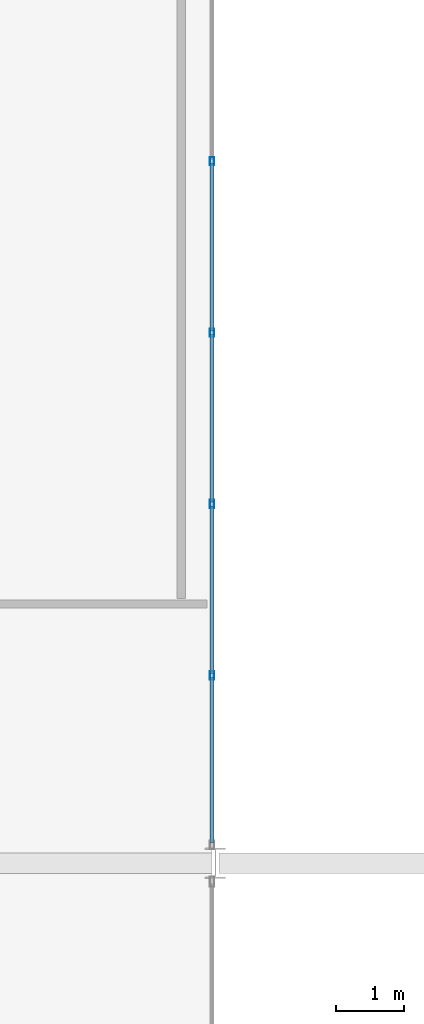
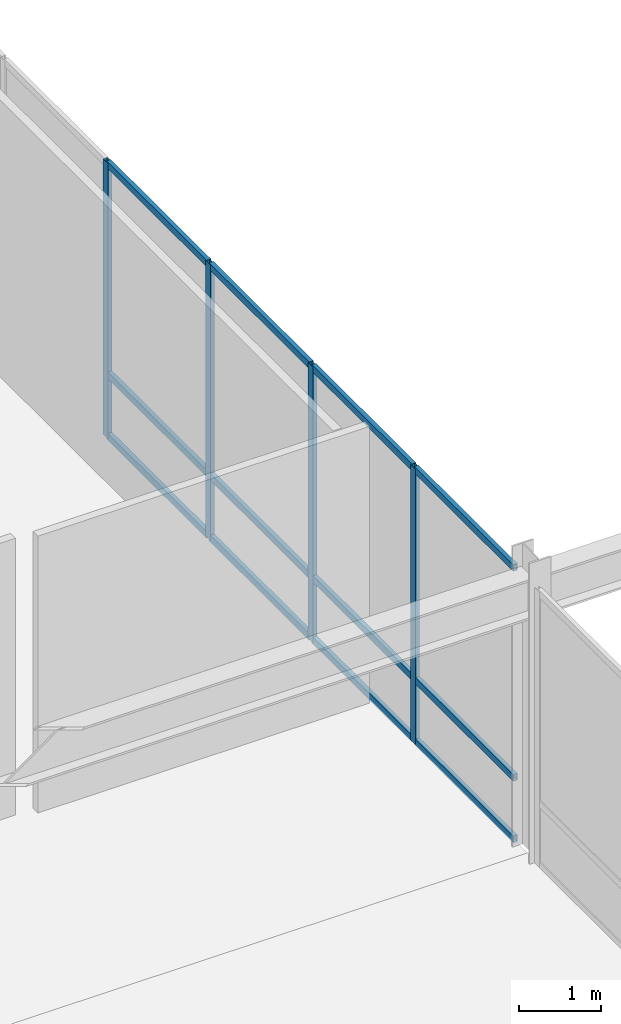
# One storey, part 61 of 115: 16 members, 1 element without a shape of its own.
"""IFC4 building model written with IfcOpenShell, lengths in metres."""

import ifcopenshell
import ifcopenshell.guid

model = None  # the IFC model being written
_history = None  # IfcOwnerHistory: only IFC2X3 demands one
_inside = {}  # id of a spatial element -> (the spatial element, [elements in it])
_under = {}  # id of a project, library or spatial element -> (it, [spatial elements below it])
_declared = {}  # id of a project -> (the project, [libraries it declares])
_typed = {}  # id of a type object -> (the type object, [elements of that type])
_made_of = {}  # id of a material, layer set ... -> (it, [elements and type objects made of it])


def new_model(schema):
    """Start an empty IFC model of exactly this schema.

    Asked for "IFC4X3", IfcOpenShell would pick the latest addendum, in which some entities
    have other attributes; the version numbers below select the first issue.
    IFC2X3 requires an IfcOwnerHistory on every rooted entity: one is made here for all.
    """
    global model, _history
    if schema == "IFC4X3":
        model = ifcopenshell.file(schema_version=(4, 3, 0, 0))
    else:
        model = ifcopenshell.file(schema=schema)
    _inside.clear()
    _under.clear()
    _declared.clear()
    _typed.clear()
    _made_of.clear()
    _history = None
    if model.schema == "IFC2X3":
        org = make("IfcOrganization", Name="unknown")
        user = make(
            "IfcPersonAndOrganization",
            ThePerson=make("IfcPerson", FamilyName="unknown"),
            TheOrganization=org,
        )
        app = make(
            "IfcApplication",
            ApplicationDeveloper=org,
            Version="unknown",
            ApplicationFullName="unknown",
            ApplicationIdentifier="unknown",
        )
        _history = make(
            "IfcOwnerHistory",
            OwningUser=user,
            OwningApplication=app,
            ChangeAction="ADDED",
            CreationDate=0,
        )
    return model


def make(cls, **values):
    """One entity of the class cls with the attributes given. An attribute that is None is left unset."""
    return model.create_entity(
        cls, **{name: value for name, value in values.items() if value is not None}
    )


def rooted(cls, **values):
    """An entity with a GlobalId (a new one), such as an element, a storey or a relation."""
    return make(cls, GlobalId=ifcopenshell.guid.new(), OwnerHistory=_history, **values)


def si_unit(unit_type, name, prefix=None):
    """IfcSIUnit, for example si_unit("LENGTHUNIT", "METRE", prefix="MILLI")."""
    return make("IfcSIUnit", UnitType=unit_type, Prefix=prefix, Name=name)


def assignment(units):
    """IfcUnitAssignment: the units of a project."""
    return None if units is None else make("IfcUnitAssignment", Units=units)


def point(xyz):
    """IfcCartesianPoint."""
    return None if xyz is None else make("IfcCartesianPoint", Coordinates=xyz)


def direction(xyz):
    """IfcDirection."""
    return None if xyz is None else make("IfcDirection", DirectionRatios=xyz)


def frame(location, z_axis=None, x_axis=None):
    """IfcAxis2Placement3D, a coordinate frame: its origin and axes. An axis left out is left unset."""
    return make(
        "IfcAxis2Placement3D",
        Location=point(location),
        Axis=direction(z_axis),
        RefDirection=direction(x_axis),
    )


def frame_2d(location, x_axis=None):
    """IfcAxis2Placement2D, a coordinate frame in the plane: its origin and x axis."""
    return make(
        "IfcAxis2Placement2D", Location=point(location), RefDirection=direction(x_axis)
    )


def origin():
    """The frame at (0, 0, 0) with its axes left unset."""
    return frame((0.0, 0.0, 0.0))


def origin_2d():
    """The frame at (0, 0) in the plane with its x axis left unset."""
    return frame_2d((0.0, 0.0))


def place(relative_to, where):
    """IfcLocalPlacement: puts the frame where relative to a parent placement (None: the world)."""
    return make(
        "IfcLocalPlacement", PlacementRelTo=relative_to, RelativePlacement=where
    )


def context(
    kind, dimensions, precision=None, world=None, true_north=None, identifier=None
):
    """IfcGeometricRepresentationContext, for example the 3D "Model" context."""
    return make(
        "IfcGeometricRepresentationContext",
        ContextIdentifier=identifier,
        ContextType=kind,
        CoordinateSpaceDimension=dimensions,
        Precision=precision,
        WorldCoordinateSystem=world,
        TrueNorth=true_north,
    )


def subcontext(parent, identifier, kind, view, scale=None):
    """IfcGeometricRepresentationSubContext, for example "Body" below "Model"."""
    return make(
        "IfcGeometricRepresentationSubContext",
        ContextIdentifier=identifier,
        ContextType=kind,
        ParentContext=parent,
        TargetScale=scale,
        TargetView=view,
    )


def project(units=None, contexts=None):
    """IfcProject with its units and contexts."""
    return rooted(
        "IfcProject",
        Name="project",
        RepresentationContexts=contexts,
        UnitsInContext=assignment(units),
    )


def spatial(cls, under=None, at=None, **own):
    """A site, building, storey or space (cls), placed at a placement, below another one or the project."""
    s = rooted(cls, ObjectPlacement=at, **own)
    if under is not None:
        _under.setdefault(under.id(), (under, []))[1].append(s)
    return s


def profile(cls, at=None, kind="AREA", **sizes):
    """A parametric profile (cls). Its sizes go by their IFC names, for example OverallWidth=200.0."""
    return make(cls, ProfileType=kind, Position=at, **sizes)


def hollow_rectangle(**sizes):
    """IfcRectangleHollowProfileDef."""
    return profile("IfcRectangleHollowProfileDef", **sizes)


def extrude(swept, where, along, depth):
    """IfcExtrudedAreaSolid: the profile swept, set in the frame where, extruded along a direction by depth."""
    return make(
        "IfcExtrudedAreaSolid",
        SweptArea=swept,
        Position=where,
        ExtrudedDirection=direction(along),
        Depth=depth,
    )


def shape(context_of_items, identifier, shape_type, items):
    """IfcShapeRepresentation: the items that make up one representation, for example the "Body"."""
    return make(
        "IfcShapeRepresentation",
        ContextOfItems=context_of_items,
        RepresentationIdentifier=identifier,
        RepresentationType=shape_type,
        Items=items,
    )


def material(Name=None, Category=None):
    """IfcMaterial."""
    return make("IfcMaterial", Name=Name, Category=Category)


def layer(
    of_material, thickness, ventilated=None, Name=None, Category=None, Priority=None
):
    """IfcMaterialLayer: one layer of a wall or slab, of a material (None: an air gap)."""
    return make(
        "IfcMaterialLayer",
        Material=of_material,
        LayerThickness=thickness,
        IsVentilated=ventilated,
        Name=Name,
        Category=Category,
        Priority=Priority,
    )


def layer_set(layers, Name=None):
    """IfcMaterialLayerSet."""
    return make("IfcMaterialLayerSet", MaterialLayers=layers, LayerSetName=Name)


def material_profile(
    of_material, cross_section, Name=None, Category=None, Priority=None
):
    """IfcMaterialProfile: a cross section and its material."""
    return make(
        "IfcMaterialProfile",
        Name=Name,
        Material=of_material,
        Profile=cross_section,
        Priority=Priority,
        Category=Category,
    )


def profile_set(profiles, Name=None, composite=None):
    """IfcMaterialProfileSet."""
    return make(
        "IfcMaterialProfileSet",
        Name=Name,
        MaterialProfiles=profiles,
        CompositeProfile=composite,
    )


def made_of(thing, what):
    """Note that an element or type object is made of a material, layer set ...; save() writes the relation."""
    if what is not None:
        _made_of.setdefault(what.id(), (what, []))[1].append(thing)
    return thing


def type_object(cls, material=None, **own):
    """A type object (cls), such as IfcWallType, which elements share."""
    return made_of(rooted(cls, **own), material)


def element(
    cls,
    number,
    at=None,
    inside=None,
    cuts=None,
    type_object=None,
    material=None,
    context=None,
    identifier="Body",
    shape_type=None,
    held_by="IfcProductDefinitionShape",
    body=None,
    shapes=None,
    **own,
):
    """One element of the class cls, such as IfcWall. Its Tag is "e" and its number.

    at: its placement. inside: the storey or other place that contains it. cuts: it is an
    opening in that element (IfcRelVoidsElement). A single representation is given by context,
    identifier, shape_type and body (its items); several are given by shapes. held_by: the class
    of the entity that holds the representations. save() writes the other relations.
    """
    e = rooted(cls, Tag="e%d" % number, ObjectPlacement=at, **own)
    if body is not None:
        shapes = [shape(context, identifier, shape_type, body)]
    if shapes is not None:
        e.Representation = make(held_by, Representations=shapes)
    if inside is not None:
        _inside.setdefault(inside.id(), (inside, []))[1].append(e)
    if cuts is not None:
        rooted(
            "IfcRelVoidsElement", RelatingBuildingElement=cuts, RelatedOpeningElement=e
        )
    if type_object is not None:
        _typed.setdefault(type_object.id(), (type_object, []))[1].append(e)
    return made_of(e, material)


def aggregate(whole, parts):
    """IfcRelAggregates: a whole, such as a stair, and the parts it consists of."""
    return rooted("IfcRelAggregates", RelatingObject=whole, RelatedObjects=parts)


def save(model, path):
    """Write the relations noted so far, then the file.

    IfcRelAggregates (storeys below a building ...), IfcRelContainedInSpatialStructure (elements
    in a storey), IfcRelDefinesByType, IfcRelAssociatesMaterial and IfcRelDeclares: one each for
    every whole, place, type object, material and project.
    """
    for whole, parts in _under.values():
        aggregate(whole, parts)
    for where, things in _inside.values():
        rooted(
            "IfcRelContainedInSpatialStructure",
            RelatedElements=things,
            RelatingStructure=where,
        )
    for kind, things in _typed.values():
        rooted("IfcRelDefinesByType", RelatedObjects=things, RelatingType=kind)
    for what, things in _made_of.values():
        rooted("IfcRelAssociatesMaterial", RelatedObjects=things, RelatingMaterial=what)
    for by, libraries in _declared.values():
        rooted("IfcRelDeclares", RelatingContext=by, RelatedDefinitions=libraries)
    model.write(path)


model = new_model("IFC4")

# Units and contexts
model_context = context("Model", 3, precision=1e-05, world=origin(), true_north=direction((0.0, 1.0)))
body_context = subcontext(model_context, "Body", "Model", "MODEL_VIEW")
ifc_project = project(units=[si_unit("LENGTHUNIT", "METRE"), si_unit("AREAUNIT", "SQUARE_METRE"), si_unit("VOLUMEUNIT", "CUBIC_METRE"), si_unit("PLANEANGLEUNIT", "RADIAN"), si_unit("MASSUNIT", "GRAM", prefix="KILO")], contexts=[model_context])

# Site, building, storey
site_placement = place(None, origin())
site = spatial("IfcSite", under=ifc_project, at=site_placement, CompositionType="ELEMENT")
building_placement = place(site_placement, origin())
building = spatial("IfcBuilding", under=site, at=building_placement, Name="Montelvaro Courts of Justice", CompositionType="ELEMENT")
storey_placement = place(building_placement, frame((0.0, 0.0, 9.89990234375)))
storey = spatial("IfcBuildingStorey", under=building, at=storey_placement, Name="L02", CompositionType="ELEMENT", Elevation=9.89990234375)

# Curtain wall, members
ifc_material = material(Name="Anodised aluminium EN AW-6063", Category="aluminium")
ifc_layer = layer(ifc_material, 0.159912109375)
ifc_layer_set = layer_set([ifc_layer], Name="Anodised aluminium EN AW-6063")
curtain_wall_type = type_object("IfcCurtainWallType", Name="CurtainWall_22_1761x418", PredefinedType="USERDEFINED", material=ifc_layer_set)
curtain_wall_placement = place(storey_placement, origin())
curtain_wall = element("IfcCurtainWall", 1, at=curtain_wall_placement, inside=storey, type_object=curtain_wall_type, Name="Curtain Wall CW-22 (L02)", ObjectType="CURTAIN WALL", PredefinedType="USERDEFINED")
ifc_material_profile_1 = material_profile(ifc_material, hollow_rectangle(XDim=0.06005859375, YDim=0.1201171875, WallThickness=0.00341796875, at=origin_2d()), Name="ALU-M 60x120")
ifc_profile_set_1 = profile_set([ifc_material_profile_1], Name="Anodised aluminium EN AW-6063")
member_type_1 = type_object("IfcMemberType", Name="CurtainWall_Mullion_60x120", PredefinedType="MULLION", material=ifc_profile_set_1)
member_1_placement = place(storey_placement, frame((80.949951171875, 80.753662109375, 0.0), z_axis=(0.0, 0.0, 1.0), x_axis=(-1.0, 0.0, 0.0)))
member_1 = element("IfcMember", 2, at=member_1_placement, type_object=member_type_1, Name="CW-22 mullion 2", PredefinedType="MULLION", context=body_context, shape_type="SweptSolid", body=[
    extrude(hollow_rectangle(XDim=0.06005859375, YDim=0.1201171875, WallThickness=0.00341796875, at=origin_2d()), origin(), (0.0, 0.0, 1.0), 4.1201171875),
])
member_2_placement = place(storey_placement, frame((80.949951171875, 83.26708984375, 0.0), z_axis=(0.0, 0.0, 1.0), x_axis=(-1.0, 0.0, 0.0)))
member_2 = element("IfcMember", 3, at=member_2_placement, type_object=member_type_1, Name="CW-22 mullion 3", PredefinedType="MULLION", context=body_context, shape_type="SweptSolid", body=[
    extrude(hollow_rectangle(XDim=0.06005859375, YDim=0.1201171875, WallThickness=0.00341796875, at=origin_2d()), origin(), (0.0, 0.0, 1.0), 4.1201171875),
])
member_3_placement = place(storey_placement, frame((80.949951171875, 85.78076171875, 0.0), z_axis=(0.0, 0.0, 1.0), x_axis=(-1.0, 0.0, 0.0)))
member_3 = element("IfcMember", 4, at=member_3_placement, type_object=member_type_1, Name="CW-22 mullion 4", PredefinedType="MULLION", context=body_context, shape_type="SweptSolid", body=[
    extrude(hollow_rectangle(XDim=0.06005859375, YDim=0.1201171875, WallThickness=0.00341796875, at=origin_2d()), origin(), (0.0, 0.0, 1.0), 4.1201171875),
])
member_4_placement = place(storey_placement, frame((80.949951171875, 88.294189453125, 0.0), z_axis=(0.0, 0.0, 1.0), x_axis=(-1.0, 0.0, 0.0)))
member_4 = element("IfcMember", 5, at=member_4_placement, type_object=member_type_1, Name="CW-22 mullion 5", PredefinedType="MULLION", context=body_context, shape_type="SweptSolid", body=[
    extrude(hollow_rectangle(XDim=0.06005859375, YDim=0.1201171875, WallThickness=0.00341796875, at=origin_2d()), origin(), (0.0, 0.0, 1.0), 4.1201171875),
])
ifc_material_profile_2 = material_profile(ifc_material, hollow_rectangle(XDim=0.06005859375, YDim=0.10009765625, WallThickness=0.00341796875, at=origin_2d()), Name="ALU-T 60x100")
ifc_profile_set_2 = profile_set([ifc_material_profile_2], Name="Anodised aluminium EN AW-6063")
member_type_2 = type_object("IfcMemberType", Name="CurtainWall_Transom_60x100", PredefinedType="USERDEFINED", material=ifc_profile_set_2)
member_5_placement = place(storey_placement, frame((80.949951171875, 78.300048828125, 0.030029296875), z_axis=(0.0, 1.0, 0.0), x_axis=(-1.0, 0.0, 0.0)))
member_5 = element("IfcMember", 6, at=member_5_placement, type_object=member_type_2, Name="CW-22 transom 1.1", ObjectType="TRANSOM", PredefinedType="USERDEFINED", context=body_context, shape_type="SweptSolid", body=[
    extrude(hollow_rectangle(XDim=0.06005859375, YDim=0.10009765625, WallThickness=0.00341796875, at=origin_2d()), origin(), (0.0, 0.0, 1.0), 2.423583984375),
])
member_6_placement = place(storey_placement, frame((80.949951171875, 78.300048828125, 0.9501953125), z_axis=(0.0, 1.0, 0.0), x_axis=(-1.0, 0.0, 0.0)))
member_6 = element("IfcMember", 7, at=member_6_placement, type_object=member_type_2, Name="CW-22 transom 1.2", ObjectType="TRANSOM", PredefinedType="USERDEFINED", context=body_context, shape_type="SweptSolid", body=[
    extrude(hollow_rectangle(XDim=0.06005859375, YDim=0.10009765625, WallThickness=0.00341796875, at=origin_2d()), origin(), (0.0, 0.0, 1.0), 2.423583984375),
])
member_7_placement = place(storey_placement, frame((80.949951171875, 78.300048828125, 4.090087890625), z_axis=(0.0, 1.0, 0.0), x_axis=(-1.0, 0.0, 0.0)))
member_7 = element("IfcMember", 8, at=member_7_placement, type_object=member_type_2, Name="CW-22 transom 1.3", ObjectType="TRANSOM", PredefinedType="USERDEFINED", context=body_context, shape_type="SweptSolid", body=[
    extrude(hollow_rectangle(XDim=0.06005859375, YDim=0.10009765625, WallThickness=0.00341796875, at=origin_2d()), origin(), (0.0, 0.0, 1.0), 2.423583984375),
])
member_8_placement = place(storey_placement, frame((80.949951171875, 80.78369140625, 0.030029296875), z_axis=(0.0, 1.0, 0.0), x_axis=(-1.0, 0.0, 0.0)))
member_8 = element("IfcMember", 9, at=member_8_placement, type_object=member_type_2, Name="CW-22 transom 2.1", ObjectType="TRANSOM", PredefinedType="USERDEFINED", context=body_context, shape_type="SweptSolid", body=[
    extrude(hollow_rectangle(XDim=0.06005859375, YDim=0.10009765625, WallThickness=0.00341796875, at=origin_2d()), origin(), (0.0, 0.0, 1.0), 2.453369140625),
])
member_9_placement = place(storey_placement, frame((80.949951171875, 80.78369140625, 0.9501953125), z_axis=(0.0, 1.0, 0.0), x_axis=(-1.0, 0.0, 0.0)))
member_9 = element("IfcMember", 10, at=member_9_placement, type_object=member_type_2, Name="CW-22 transom 2.2", ObjectType="TRANSOM", PredefinedType="USERDEFINED", context=body_context, shape_type="SweptSolid", body=[
    extrude(hollow_rectangle(XDim=0.06005859375, YDim=0.10009765625, WallThickness=0.00341796875, at=origin_2d()), origin(), (0.0, 0.0, 1.0), 2.453369140625),
])
member_10_placement = place(storey_placement, frame((80.949951171875, 80.78369140625, 4.090087890625), z_axis=(0.0, 1.0, 0.0), x_axis=(-1.0, 0.0, 0.0)))
member_10 = element("IfcMember", 11, at=member_10_placement, type_object=member_type_2, Name="CW-22 transom 2.3", ObjectType="TRANSOM", PredefinedType="USERDEFINED", context=body_context, shape_type="SweptSolid", body=[
    extrude(hollow_rectangle(XDim=0.06005859375, YDim=0.10009765625, WallThickness=0.00341796875, at=origin_2d()), origin(), (0.0, 0.0, 1.0), 2.453369140625),
])
member_11_placement = place(storey_placement, frame((80.949951171875, 83.297119140625, 0.030029296875), z_axis=(0.0, 1.0, 0.0), x_axis=(-1.0, 0.0, 0.0)))
member_11 = element("IfcMember", 12, at=member_11_placement, type_object=member_type_2, Name="CW-22 transom 3.1", ObjectType="TRANSOM", PredefinedType="USERDEFINED", context=body_context, shape_type="SweptSolid", body=[
    extrude(hollow_rectangle(XDim=0.06005859375, YDim=0.10009765625, WallThickness=0.00341796875, at=origin_2d()), origin(), (0.0, 0.0, 1.0), 2.45361328125),
])
member_12_placement = place(storey_placement, frame((80.949951171875, 83.297119140625, 0.9501953125), z_axis=(0.0, 1.0, 0.0), x_axis=(-1.0, 0.0, 0.0)))
member_12 = element("IfcMember", 13, at=member_12_placement, type_object=member_type_2, Name="CW-22 transom 3.2", ObjectType="TRANSOM", PredefinedType="USERDEFINED", context=body_context, shape_type="SweptSolid", body=[
    extrude(hollow_rectangle(XDim=0.06005859375, YDim=0.10009765625, WallThickness=0.00341796875, at=origin_2d()), origin(), (0.0, 0.0, 1.0), 2.45361328125),
])
member_13_placement = place(storey_placement, frame((80.949951171875, 83.297119140625, 4.090087890625), z_axis=(0.0, 1.0, 0.0), x_axis=(-1.0, 0.0, 0.0)))
member_13 = element("IfcMember", 14, at=member_13_placement, type_object=member_type_2, Name="CW-22 transom 3.3", ObjectType="TRANSOM", PredefinedType="USERDEFINED", context=body_context, shape_type="SweptSolid", body=[
    extrude(hollow_rectangle(XDim=0.06005859375, YDim=0.10009765625, WallThickness=0.00341796875, at=origin_2d()), origin(), (0.0, 0.0, 1.0), 2.45361328125),
])
member_14_placement = place(storey_placement, frame((80.949951171875, 85.810791015625, 0.030029296875), z_axis=(0.0, 1.0, 0.0), x_axis=(-1.0, 0.0, 0.0)))
member_14 = element("IfcMember", 15, at=member_14_placement, type_object=member_type_2, Name="CW-22 transom 4.1", ObjectType="TRANSOM", PredefinedType="USERDEFINED", context=body_context, shape_type="SweptSolid", body=[
    extrude(hollow_rectangle(XDim=0.06005859375, YDim=0.10009765625, WallThickness=0.00341796875, at=origin_2d()), origin(), (0.0, 0.0, 1.0), 2.45361328125),
])
member_15_placement = place(storey_placement, frame((80.949951171875, 85.810791015625, 0.9501953125), z_axis=(0.0, 1.0, 0.0), x_axis=(-1.0, 0.0, 0.0)))
member_15 = element("IfcMember", 16, at=member_15_placement, type_object=member_type_2, Name="CW-22 transom 4.2", ObjectType="TRANSOM", PredefinedType="USERDEFINED", context=body_context, shape_type="SweptSolid", body=[
    extrude(hollow_rectangle(XDim=0.06005859375, YDim=0.10009765625, WallThickness=0.00341796875, at=origin_2d()), origin(), (0.0, 0.0, 1.0), 2.45361328125),
])
member_16_placement = place(storey_placement, frame((80.949951171875, 85.810791015625, 4.090087890625), z_axis=(0.0, 1.0, 0.0), x_axis=(-1.0, 0.0, 0.0)))
member_16 = element("IfcMember", 17, at=member_16_placement, type_object=member_type_2, Name="CW-22 transom 4.3", ObjectType="TRANSOM", PredefinedType="USERDEFINED", context=body_context, shape_type="SweptSolid", body=[
    extrude(hollow_rectangle(XDim=0.06005859375, YDim=0.10009765625, WallThickness=0.00341796875, at=origin_2d()), origin(), (0.0, 0.0, 1.0), 2.45361328125),
])
aggregate(curtain_wall, [member_1, member_2, member_3, member_4, member_5, member_6, member_7, member_8, member_9, member_10, member_11, member_12, member_13, member_14, member_15, member_16])

save(model, "model.ifc")
